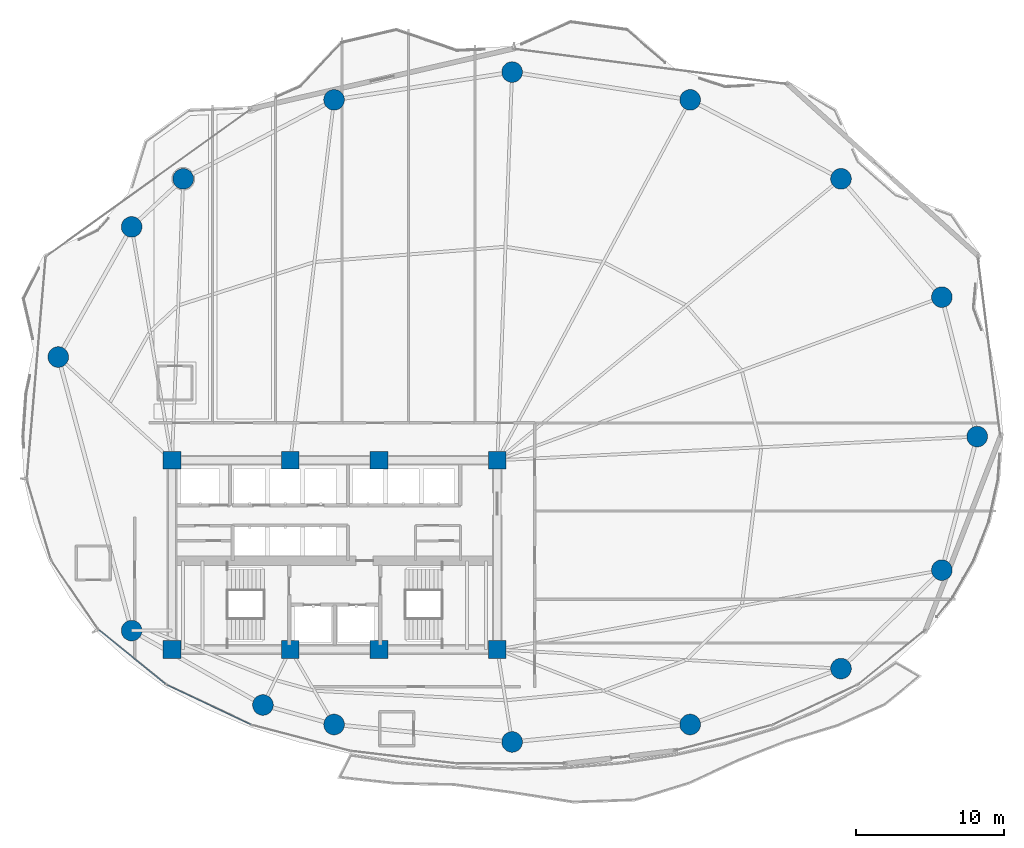
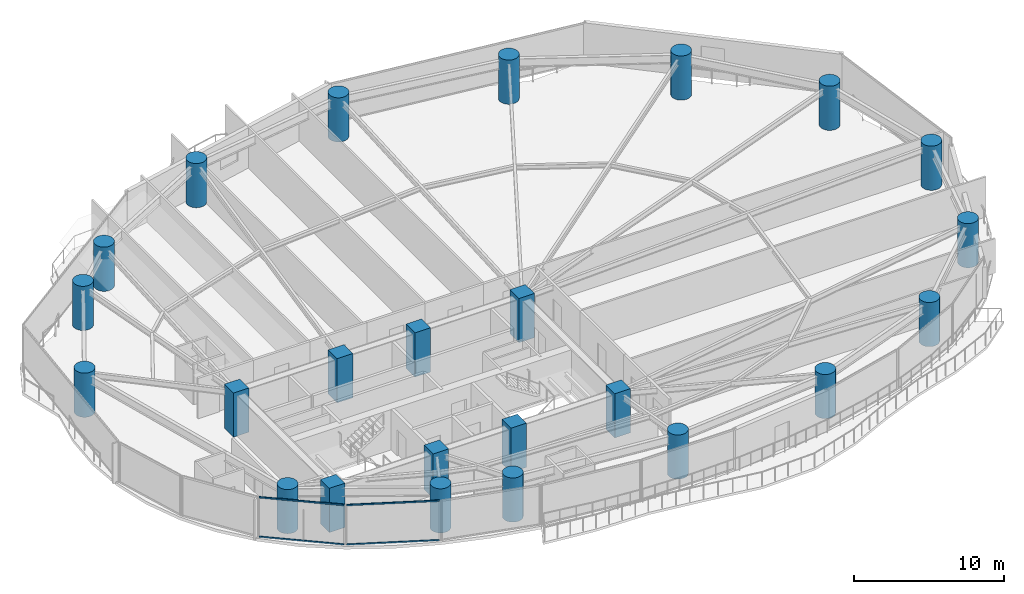
# One storey, part 1 of 30: 24 columns, 4 members, 2 elements without a shape of their own.
"""IFC4 building model written with IfcOpenShell, lengths in metres."""

from ifc_helpers import new_model, si_unit, direction, frame, origin, origin_2d, place, context, subcontext, project, spatial, rectangle, hollow_rectangle, circle, extrude, material, layer, layer_set, material_profile, profile_set, type_object, element, aggregate, save


model = new_model("IFC4")

# Units and contexts
model_context = context("Model", 3, precision=1e-05, world=origin(), true_north=direction((0.0, 1.0)))
body_context = subcontext(model_context, "Body", "Model", "MODEL_VIEW")
ifc_project = project(units=[si_unit("LENGTHUNIT", "METRE"), si_unit("AREAUNIT", "SQUARE_METRE"), si_unit("VOLUMEUNIT", "CUBIC_METRE"), si_unit("PLANEANGLEUNIT", "RADIAN"), si_unit("MASSUNIT", "GRAM", prefix="KILO")], contexts=[model_context])

# Site, building, storey
site_placement = place(None, origin())
site = spatial("IfcSite", under=ifc_project, at=site_placement, CompositionType="ELEMENT")
building_placement = place(site_placement, origin())
building = spatial("IfcBuilding", under=site, at=building_placement, Name="Kazevale Care Tower and Concert Hall", CompositionType="ELEMENT")
storey_placement = place(building_placement, frame((0.0, 0.0, 88.800048828125)))
storey = spatial("IfcBuildingStorey", under=building, at=storey_placement, Name="L23", CompositionType="ELEMENT", Elevation=88.800048828125)

# Columns
ifc_material_1 = material(Name="Concrete C70", Category="concrete")
ifc_material_profile_1 = material_profile(ifc_material_1, rectangle(XDim=1.199951171875, YDim=1.199951171875, at=origin_2d()), Name="RC-SQ1200")
ifc_profile_set_1 = profile_set([ifc_material_profile_1], Name="Concrete C70")
column_type_1 = type_object("IfcColumnType", Name="Core Column SQ1200 C70", PredefinedType="COLUMN", material=ifc_profile_set_1)
for number, where, z_axis, x_axis, name in (
    (1, (22.0, 23.60009765625, 0.0), (0.0, 0.0, 1.0), (1.0, 0.0, 0.0), "col:L23:CC-01"),
    (2, (30.0, 23.60009765625, 0.0), (0.0, 0.0, 1.0), (1.0, 0.0, 0.0), "col:L23:CC-02"),
    (3, (36.0, 23.60009765625, 0.0), (0.0, 0.0, 1.0), (1.0, 0.0, 0.0), "col:L23:CC-03"),
    (4, (44.0, 23.60009765625, 0.0), (0.0, 0.0, 1.0), (1.0, 0.0, 0.0), "col:L23:CC-04"),
    (5, (44.0, 36.39990234375, 0.0), (0.0, 0.0, 1.0), (1.0, 0.0, 0.0), "col:L23:CC-05"),
    (6, (36.0, 36.39990234375, 0.0), (0.0, 0.0, 1.0), (1.0, 0.0, 0.0), "col:L23:CC-06"),
    (7, (30.0, 36.39990234375, 0.0), (0.0, 0.0, 1.0), (1.0, 0.0, 0.0), "col:L23:CC-07"),
    (8, (22.0, 36.39990234375, 0.0), (0.0, 0.0, 1.0), (1.0, 0.0, 0.0), "col:L23:CC-08"),
):
    element("IfcColumn", number, at=place(storey_placement, frame(where, z_axis=z_axis, x_axis=x_axis)), inside=storey, type_object=column_type_1, Name=name, PredefinedType="COLUMN", context=body_context, shape_type="SweptSolid", body=[
        extrude(rectangle(XDim=1.199951171875, YDim=1.199951171875, at=origin_2d()), origin(), (0.0, 0.0, 1.0), 3.599853515625),
    ])
ifc_material_profile_2 = material_profile(ifc_material_1, circle(Radius=0.699951171875, at=origin_2d()), Name="RC-CIR1400")
ifc_profile_set_2 = profile_set([ifc_material_profile_2], Name="Concrete C70")
column_type_2 = type_object("IfcColumnType", Name="Perimeter Column CIR1400 C70", PredefinedType="COLUMN", material=ifc_profile_set_2)
for number, where, z_axis, x_axis, name in (
    (9, (76.449951171875, 38.0, 0.0), (0.0, 0.0, 1.0), (1.0, 0.0, 0.0), "col:L23:PC-01"),
    (10, (74.06005859375, 47.429931640625, 0.0), (0.0, 0.0, 1.0), (1.0, 0.0, 0.0), "col:L23:PC-02"),
    (11, (67.239990234375, 55.429931640625, 0.0), (0.0, 0.0, 1.0), (1.0, 0.0, 0.0), "col:L23:PC-03"),
    (12, (57.0400390625, 60.77001953125, 0.0), (0.0, 0.0, 1.0), (1.0, 0.0, 0.0), "col:L23:PC-04"),
    (13, (45.0, 62.64990234375, 0.0), (0.0, 0.0, 1.0), (1.0, 0.0, 0.0), "col:L23:PC-05"),
    (14, (32.9599609375, 60.77001953125, 0.0), (0.0, 0.0, 1.0), (1.0, 0.0, 0.0), "col:L23:PC-06"),
    (15, (22.760009765625, 55.429931640625, 0.0), (0.0, 0.0, 1.0), (1.0, 0.0, 0.0), "col:L23:PC-07"),
    (16, (19.27001953125, 52.179931640625, 0.0), (0.0, 0.0, 1.0), (1.0, 0.0, 0.0), "col:L23:PC-08"),
    (17, (14.31005859375, 43.3798828125, 0.0), (0.0, 0.0, 1.0), (1.0, 0.0, 0.0), "col:L23:PC-09"),
    (18, (19.27001953125, 24.8798828125, 0.0), (0.0, 0.0, 1.0), (1.0, 0.0, 0.0), "col:L23:PC-10"),
    (19, (28.14990234375, 19.85009765625, 0.0), (0.0, 0.0, 1.0), (1.0, 0.0, 0.0), "col:L23:PC-11"),
    (20, (32.9599609375, 18.530029296875, 0.0), (0.0, 0.0, 1.0), (1.0, 0.0, 0.0), "col:L23:PC-12"),
    (21, (45.0, 17.35009765625, 0.0), (0.0, 0.0, 1.0), (1.0, 0.0, 0.0), "col:L23:PC-13"),
    (22, (57.0400390625, 18.530029296875, 0.0), (0.0, 0.0, 1.0), (1.0, 0.0, 0.0), "col:L23:PC-14"),
    (23, (67.239990234375, 22.31005859375, 0.0), (0.0, 0.0, 1.0), (1.0, 0.0, 0.0), "col:L23:PC-15"),
    (24, (74.06005859375, 28.969970703125, 0.0), (0.0, 0.0, 1.0), (1.0, 0.0, 0.0), "col:L23:PC-16"),
):
    element("IfcColumn", number, at=place(storey_placement, frame(where, z_axis=z_axis, x_axis=x_axis)), inside=storey, type_object=column_type_2, Name=name, PredefinedType="COLUMN", context=body_context, shape_type="SweptSolid", body=[
        extrude(circle(Radius=0.699951171875, at=origin_2d()), origin(), (0.0, 0.0, 1.0), 3.599853515625),
    ])

# Curtain wall, members
ifc_material_2 = material(Name="Aluminium 6063-T6 and Low-E Glass", Category="aluminium")
ifc_layer = layer(ifc_material_2, 0.179931640625)
ifc_layer_set = layer_set([ifc_layer], Name="Aluminium 6063-T6 and Low-E Glass")
curtain_wall_type = type_object("IfcCurtainWallType", Name="Sheltered Concave Balcony Curtain Wall CW-5", PredefinedType="NOTDEFINED", material=ifc_layer_set)
curtain_wall_1_placement = place(storey_placement, origin())
curtain_wall_1 = element("IfcCurtainWall", 25, at=curtain_wall_1_placement, inside=storey, type_object=curtain_wall_type, Name="cw:L23:f09", PredefinedType="NOTDEFINED")
ifc_material_3 = material(Name="Aluminium 6063-T6", Category="aluminium")
ifc_material_profile_3 = material_profile(ifc_material_3, hollow_rectangle(XDim=0.074951171875, YDim=0.1201171875, WallThickness=0.00390625, at=origin_2d()), Name="ALU75x120x4")
ifc_profile_set_3 = profile_set([ifc_material_profile_3], Name="Aluminium 6063-T6")
member_type = type_object("IfcMemberType", Name="CW-5 Transom ALU75x120x4", PredefinedType="USERDEFINED", material=ifc_profile_set_3)
member_1_placement = place(storey_placement, frame((27.3291015625, 18.531005859375, 0.037353515625), z_axis=(-0.904271726847, 0.426957426479, 0.0), x_axis=(-0.426957426479, -0.904271726847, 0.0)))
member_1 = element("IfcMember", 26, at=member_1_placement, type_object=member_type, Name="CW-5 transom 1.1", ObjectType="TRANSOM", PredefinedType="USERDEFINED", context=body_context, shape_type="SweptSolid", body=[
    extrude(hollow_rectangle(XDim=0.074951171875, YDim=0.1201171875, WallThickness=0.00390625, at=origin_2d()), origin(), (0.0, 0.0, 1.0), 6.23974609375),
])
member_2_placement = place(storey_placement, frame((27.3291015625, 18.531005859375, 3.242431640625), z_axis=(-0.904271726847, 0.426957426479, 0.0), x_axis=(-0.426957426479, -0.904271726847, 0.0)))
member_2 = element("IfcMember", 27, at=member_2_placement, type_object=member_type, Name="CW-5 transom 1.2", ObjectType="TRANSOM", PredefinedType="USERDEFINED", context=body_context, shape_type="SweptSolid", body=[
    extrude(hollow_rectangle(XDim=0.074951171875, YDim=0.1201171875, WallThickness=0.00390625, at=origin_2d()), origin(), (0.0, 0.0, 1.0), 6.23974609375),
])
aggregate(curtain_wall_1, [member_1, member_2])

curtain_wall_2_placement = place(storey_placement, origin())
curtain_wall_2 = element("IfcCurtainWall", 28, at=curtain_wall_2_placement, inside=storey, type_object=curtain_wall_type, Name="cw:L23:f10", PredefinedType="NOTDEFINED")
member_3_placement = place(storey_placement, frame((21.560791015625, 21.274169921875, 0.037353515625), z_axis=(-0.77659518273, 0.629999938223, 0.0), x_axis=(-0.629999938223, -0.77659518273, 0.0)))
member_3 = element("IfcMember", 29, at=member_3_placement, type_object=member_type, Name="CW-5 transom 1.1", ObjectType="TRANSOM", PredefinedType="USERDEFINED", context=body_context, shape_type="SweptSolid", body=[
    extrude(hollow_rectangle(XDim=0.074951171875, YDim=0.1201171875, WallThickness=0.00390625, at=origin_2d()), origin(), (0.0, 0.0, 1.0), 5.770751953125),
])
member_4_placement = place(storey_placement, frame((21.560791015625, 21.274169921875, 3.242431640625), z_axis=(-0.77659518273, 0.629999938223, 0.0), x_axis=(-0.629999938223, -0.77659518273, 0.0)))
member_4 = element("IfcMember", 30, at=member_4_placement, type_object=member_type, Name="CW-5 transom 1.2", ObjectType="TRANSOM", PredefinedType="USERDEFINED", context=body_context, shape_type="SweptSolid", body=[
    extrude(hollow_rectangle(XDim=0.074951171875, YDim=0.1201171875, WallThickness=0.00390625, at=origin_2d()), origin(), (0.0, 0.0, 1.0), 5.770751953125),
])
aggregate(curtain_wall_2, [member_3, member_4])

save(model, "model.ifc")
